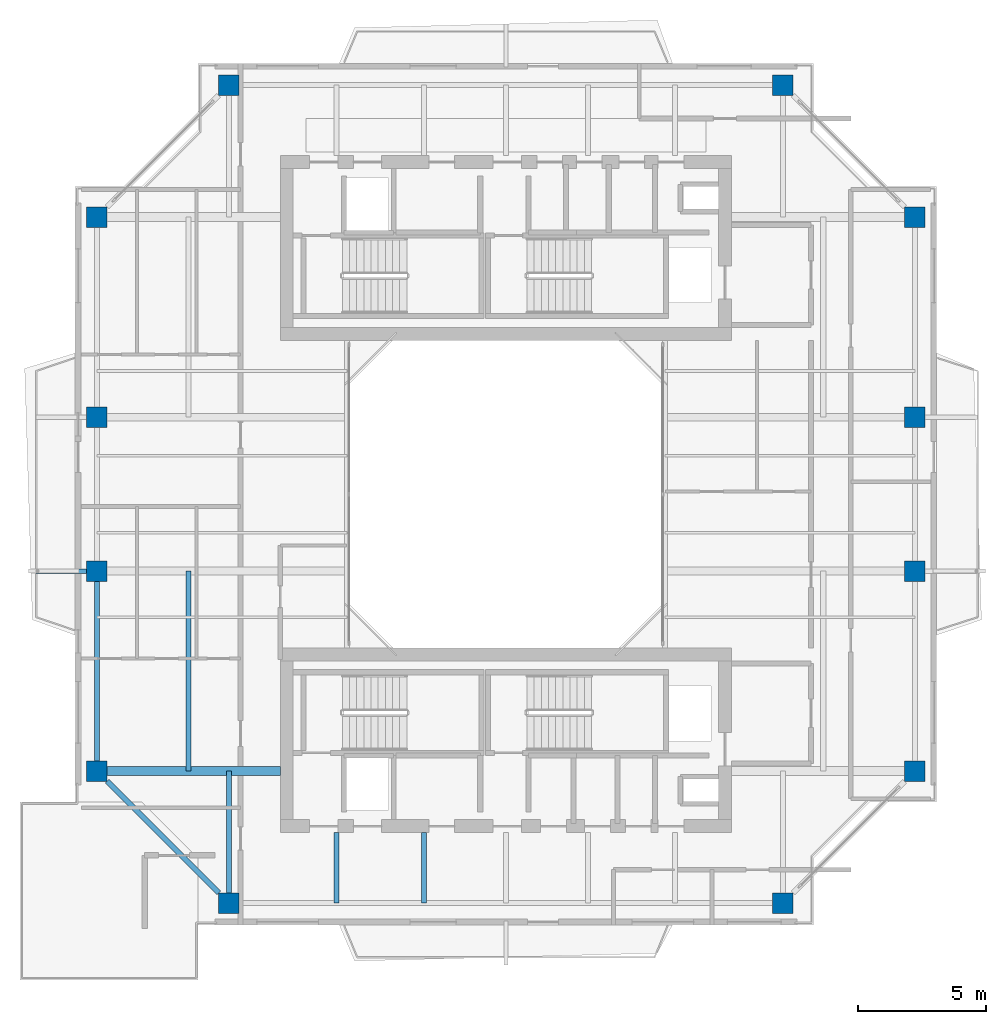
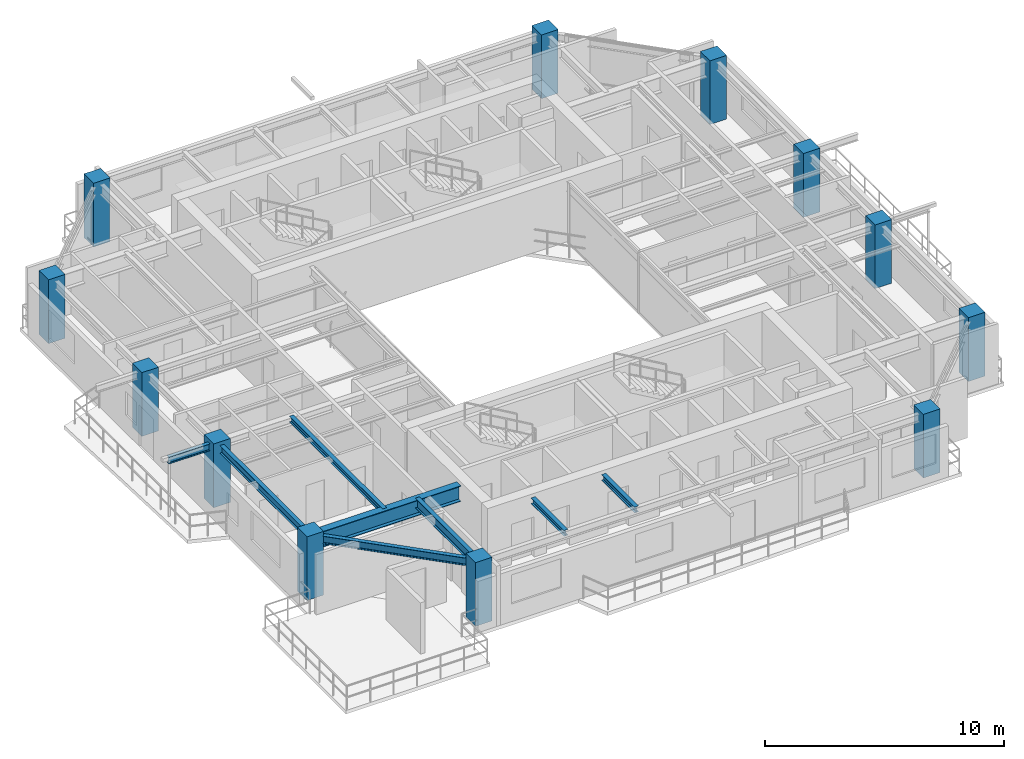
# One storey, part 1 of 15: 12 columns, 8 beams.
"""IFC4 building model written with IfcOpenShell, lengths in metres."""

from ifc_helpers import new_model, si_unit, direction, frame, origin, origin_2d, place, context, subcontext, project, spatial, rectangle, i_section, extrude, source, transform, mapped, material, material_profile, profile_set, type_object, element, save


model = new_model("IFC4")

# Units and contexts
model_context = context("Model", 3, precision=1e-05, world=origin(), true_north=direction((0.0, 1.0)))
body_context = subcontext(model_context, "Body", "Model", "MODEL_VIEW")
ifc_project = project(units=[si_unit("LENGTHUNIT", "METRE"), si_unit("AREAUNIT", "SQUARE_METRE"), si_unit("VOLUMEUNIT", "CUBIC_METRE"), si_unit("PLANEANGLEUNIT", "RADIAN"), si_unit("MASSUNIT", "GRAM", prefix="KILO"), si_unit("THERMODYNAMICTEMPERATUREUNIT", "KELVIN"), si_unit("POWERUNIT", "WATT")], contexts=[model_context])

# Site, building, storey
site_placement = place(None, origin())
site = spatial("IfcSite", under=ifc_project, at=site_placement, CompositionType="ELEMENT")
building_placement = place(site_placement, origin())
building = spatial("IfcBuilding", under=site, at=building_placement, Name="Qiaomeng Ring Towers", CompositionType="ELEMENT")
storey_placement = place(building_placement, frame((0.0, 0.0, 193.75)))
storey = spatial("IfcBuildingStorey", under=building, at=storey_placement, Name="L56", CompositionType="ELEMENT", Elevation=193.75)

# Columns
ifc_material_1 = material(Name="Concrete C40", Category="concrete")
ifc_material_profile_1 = material_profile(ifc_material_1, rectangle(XDim=0.800048828125, YDim=0.800048828125, at=origin_2d()), Name="RC COL 800x800")
ifc_profile_set_1 = profile_set([ifc_material_profile_1], Name="Concrete C40")
column_type = type_object("IfcColumnType", Name="STR-COL-800-C40", PredefinedType="COLUMN", material=ifc_profile_set_1)
shared_shape_1 = source(origin(), body_context, "Body", "SweptSolid", [
    extrude(rectangle(XDim=0.800048828125, YDim=0.800048828125, at=origin_2d()), origin(), (0.0, 0.0, 1.0), 3.25),
])
for number, where, z_axis, x_axis, name in (
    (1, (8.199951171875, 7.050048828125, 0.0), (0.0, 0.0, 1.0), (1.0, 0.0, 0.0), "L56 column STR-COL-L56-T1-S1"),
    (2, (29.800048828125, 7.050048828125, 0.0), (0.0, 0.0, 1.0), (1.0, 0.0, 0.0), "L56 column STR-COL-L56-T1-S2"),
    (3, (34.949951171875, 12.199951171875, 0.0), (0.0, 0.0, 1.0), (1.0, 0.0, 0.0), "L56 column STR-COL-L56-T1-E1"),
    (4, (34.949951171875, 20.0, 0.0), (0.0, 0.0, 1.0), (1.0, 0.0, 0.0), "L56 column STR-COL-L56-T1-E2"),
    (5, (34.949951171875, 26.0, 0.0), (0.0, 0.0, 1.0), (1.0, 0.0, 0.0), "L56 column STR-COL-L56-T1-E3"),
    (6, (34.949951171875, 33.800048828125, 0.0), (0.0, 0.0, 1.0), (1.0, 0.0, 0.0), "L56 column STR-COL-L56-T1-E4"),
    (7, (29.800048828125, 38.949951171875, 0.0), (0.0, 0.0, 1.0), (1.0, 0.0, 0.0), "L56 column STR-COL-L56-T1-N2"),
    (8, (8.199951171875, 38.949951171875, 0.0), (0.0, 0.0, 1.0), (1.0, 0.0, 0.0), "L56 column STR-COL-L56-T1-N1"),
    (9, (3.050048828125, 33.800048828125, 0.0), (0.0, 0.0, 1.0), (1.0, 0.0, 0.0), "L56 column STR-COL-L56-T1-W4"),
    (10, (3.050048828125, 26.0, 0.0), (0.0, 0.0, 1.0), (1.0, 0.0, 0.0), "L56 column STR-COL-L56-T1-W3"),
    (11, (3.050048828125, 20.0, 0.0), (0.0, 0.0, 1.0), (1.0, 0.0, 0.0), "L56 column STR-COL-L56-T1-W2"),
    (12, (3.050048828125, 12.199951171875, 0.0), (0.0, 0.0, 1.0), (1.0, 0.0, 0.0), "L56 column STR-COL-L56-T1-W1"),
):
    element("IfcColumn", number, at=place(storey_placement, frame(where, z_axis=z_axis, x_axis=x_axis)), inside=storey, type_object=column_type, Name=name, PredefinedType="COLUMN", context=body_context, shape_type="MappedRepresentation", body=[
        mapped(shared_shape_1, transform((0.0, 0.0, 0.0), x_axis=(1.0, 0.0, 0.0), y_axis=(0.0, 1.0, 0.0), z_axis=(0.0, 0.0, 1.0), scale=1.0)),
    ])

# Beams
ifc_material_2 = material(Name="Steel Q355B", Category="steel")
ifc_material_profile_2 = material_profile(ifc_material_2, i_section(OverallWidth=0.198974609375, OverallDepth=0.39599609375, WebThickness=0.007080078125, FlangeThickness=0.010986328125, FilletRadius=0.01611328125, at=origin_2d()), Name="HN 396x199x7x11")
ifc_profile_set_2 = profile_set([ifc_material_profile_2], Name="Steel Q355B")
beam_type_1 = type_object("IfcBeamType", Name="STR-BM-HN396", PredefinedType="SPANDREL", material=ifc_profile_set_2)
shared_shape_2 = source(origin(), body_context, "Body", "SweptSolid", [
    extrude(i_section(OverallWidth=0.198974609375, OverallDepth=0.39599609375, WebThickness=0.007080078125, FlangeThickness=0.010986328125, FilletRadius=0.01611328125, at=origin_2d()), origin(), (0.0, 0.0, 1.0), 6.154052734375),
])
beam_1_placement = place(storey_placement, frame((3.44921875, 11.80078125, 2.8720703125), z_axis=(0.707106781187, -0.707106781187, 0.0), x_axis=(0.707106781187, 0.707106781187, 0.0)))
element("IfcBeam", 13, at=beam_1_placement, inside=storey, type_object=beam_type_1, Name="L56 beam STR-SP-L56-T1-W1-S1", PredefinedType="SPANDREL", context=body_context, shape_type="MappedRepresentation", body=[
    mapped(shared_shape_2, transform((0.0, 0.0, 0.0), x_axis=(1.0, 0.0, 0.0), y_axis=(0.0, 1.0, 0.0), z_axis=(0.0, 0.0, 1.0), scale=1.0)),
])
shared_shape_3 = source(origin(), body_context, "Body", "SweptSolid", [
    extrude(i_section(OverallWidth=0.198974609375, OverallDepth=0.39599609375, WebThickness=0.007080078125, FlangeThickness=0.010986328125, FilletRadius=0.01611328125, at=origin_2d()), origin(), (0.0, 0.0, 1.0), 7.001953125),
])
beam_2_placement = place(storey_placement, frame((3.050048828125, 19.60107421875, 2.8720703125), z_axis=(0.0, -1.0, 0.0), x_axis=(1.0, 0.0, 0.0)))
element("IfcBeam", 14, at=beam_2_placement, inside=storey, type_object=beam_type_1, Name="L56 beam STR-SP-L56-T1-W2-W1", PredefinedType="SPANDREL", context=body_context, shape_type="MappedRepresentation", body=[
    mapped(shared_shape_3, transform((0.0, 0.0, 0.0), x_axis=(1.0, 0.0, 0.0), y_axis=(0.0, 1.0, 0.0), z_axis=(0.0, 0.0, 1.0), scale=1.0)),
])
ifc_material_3 = material(Name="Steel Q390GJC", Category="steel")
ifc_material_profile_3 = material_profile(ifc_material_3, i_section(OverallWidth=0.35009765625, OverallDepth=0.800048828125, WebThickness=0.01611328125, FlangeThickness=0.028076171875, at=origin_2d()), Name="WH 800x350x16x28")
ifc_profile_set_3 = profile_set([ifc_material_profile_3], Name="Steel Q390GJC")
beam_type_2 = type_object("IfcBeamType", Name="STR-BM-WH800", PredefinedType="BEAM", material=ifc_profile_set_3)
shared_shape_4 = source(origin(), body_context, "Body", "SweptSolid", [
    extrude(i_section(OverallWidth=0.35009765625, OverallDepth=0.800048828125, WebThickness=0.01611328125, FlangeThickness=0.028076171875, at=origin_2d()), origin(), (0.0, 0.0, 1.0), 6.7509765625),
])
beam_3_placement = place(storey_placement, frame((3.448974609375, 12.199951171875, 2.669921875), z_axis=(1.0, 0.0, 0.0), x_axis=(0.0, 1.0, 0.0)))
element("IfcBeam", 15, at=beam_3_placement, inside=storey, type_object=beam_type_2, Name="L56 beam STR-BM-L56-T1-RAD-W1", PredefinedType="BEAM", context=body_context, shape_type="MappedRepresentation", body=[
    mapped(shared_shape_4, transform((0.0, 0.0, 0.0), x_axis=(1.0, 0.0, 0.0), y_axis=(0.0, 1.0, 0.0), z_axis=(0.0, 0.0, 1.0), scale=1.0)),
])
ifc_material_profile_4 = material_profile(ifc_material_2, i_section(OverallWidth=0.199951171875, OverallDepth=0.5, WebThickness=0.010009765625, FlangeThickness=0.01611328125, FilletRadius=0.02001953125, at=origin_2d()), Name="HN 500x200x10x16")
ifc_profile_set_4 = profile_set([ifc_material_profile_4], Name="Steel Q355B")
beam_type_3 = type_object("IfcBeamType", Name="STR-BM-HN500", PredefinedType="BEAM", material=ifc_profile_set_4)
shared_shape_5 = source(origin(), body_context, "Body", "SweptSolid", [
    extrude(i_section(OverallWidth=0.199951171875, OverallDepth=0.5, WebThickness=0.010009765625, FlangeThickness=0.01611328125, FilletRadius=0.02001953125, at=origin_2d()), origin(), (0.0, 0.0, 1.0), 4.7509765625),
])
beam_4_placement = place(storey_placement, frame((8.199951171875, 7.448974609375, 2.820068359375), z_axis=(0.0, 1.0, 0.0), x_axis=(-1.0, 0.0, 0.0)))
element("IfcBeam", 16, at=beam_4_placement, inside=storey, type_object=beam_type_3, Name="L56 beam STR-BM-L56-T1-RAD-S1", PredefinedType="BEAM", context=body_context, shape_type="MappedRepresentation", body=[
    mapped(shared_shape_5, transform((0.0, 0.0, 0.0), x_axis=(1.0, 0.0, 0.0), y_axis=(0.0, 1.0, 0.0), z_axis=(0.0, 0.0, 1.0), scale=1.0)),
])
ifc_material_profile_5 = material_profile(ifc_material_2, i_section(OverallWidth=0.175048828125, OverallDepth=0.35009765625, WebThickness=0.007080078125, FlangeThickness=0.010986328125, FilletRadius=0.013916015625, at=origin_2d()), Name="HN 350x175x7x11")
ifc_profile_set_5 = profile_set([ifc_material_profile_5], Name="Steel Q355B")
beam_type_4 = type_object("IfcBeamType", Name="STR-BM-HN350", PredefinedType="JOIST", material=ifc_profile_set_5)
shared_shape_6 = source(origin(), body_context, "Body", "SweptSolid", [
    extrude(i_section(OverallWidth=0.175048828125, OverallDepth=0.35009765625, WebThickness=0.007080078125, FlangeThickness=0.010986328125, FilletRadius=0.013916015625, at=origin_2d()), origin(), (0.0, 0.0, 1.0), 1.970947265625),
])
beam_5_placement = place(storey_placement, frame((0.679931640625, 20.0, 2.89501953125), z_axis=(1.0, 0.0, 0.0), x_axis=(0.0, 1.0, 0.0)))
element("IfcBeam", 17, at=beam_5_placement, inside=storey, type_object=beam_type_4, Name="L56 beam STR-BALBM-L56-W2", PredefinedType="JOIST", context=body_context, shape_type="MappedRepresentation", body=[
    mapped(shared_shape_6, transform((0.0, 0.0, 0.0), x_axis=(1.0, 0.0, 0.0), y_axis=(0.0, 1.0, 0.0), z_axis=(0.0, 0.0, 1.0), scale=1.0)),
])
ifc_material_profile_6 = material_profile(ifc_material_2, i_section(OverallWidth=0.199951171875, OverallDepth=0.2939453125, WebThickness=0.008056640625, FlangeThickness=0.011962890625, FilletRadius=0.01806640625, at=origin_2d()), Name="HM 294x200x8x12")
ifc_profile_set_6 = profile_set([ifc_material_profile_6], Name="Steel Q355B")
beam_type_5 = type_object("IfcBeamType", Name="STR-BM-HM294", PredefinedType="JOIST", material=ifc_profile_set_6)
shared_shape_7 = source(origin(), body_context, "Body", "SweptSolid", [
    extrude(i_section(OverallWidth=0.199951171875, OverallDepth=0.2939453125, WebThickness=0.008056640625, FlangeThickness=0.011962890625, FilletRadius=0.01806640625, at=origin_2d()), origin(), (0.0, 0.0, 1.0), 2.75),
])
for number, where, z_axis, x_axis, name in (
    (18, (12.39990234375, 7.050048828125, 2.923095703125), (0.0, 1.0, 0.0), (-1.0, 0.0, 0.0), "L56 beam STR-JST-L56-T1S-1"),
    (19, (15.800048828125, 7.050048828125, 2.923095703125), (0.0, 1.0, 0.0), (-1.0, 0.0, 0.0), "L56 beam STR-JST-L56-T1S-2"),
):
    element("IfcBeam", number, at=place(storey_placement, frame(where, z_axis=z_axis, x_axis=x_axis)), inside=storey, type_object=beam_type_5, Name=name, PredefinedType="JOIST", context=body_context, shape_type="MappedRepresentation", body=[
        mapped(shared_shape_7, transform((0.0, 0.0, 0.0), x_axis=(1.0, 0.0, 0.0), y_axis=(0.0, 1.0, 0.0), z_axis=(0.0, 0.0, 1.0), scale=1.0)),
    ])
shared_shape_8 = source(origin(), body_context, "Body", "SweptSolid", [
    extrude(i_section(OverallWidth=0.199951171875, OverallDepth=0.2939453125, WebThickness=0.008056640625, FlangeThickness=0.011962890625, FilletRadius=0.01806640625, at=origin_2d()), origin(), (0.0, 0.0, 1.0), 7.800048828125),
])
beam_6_placement = place(storey_placement, frame((6.625, 12.199951171875, 2.923095703125), z_axis=(0.0, 1.0, 0.0), x_axis=(-1.0, 0.0, 0.0)))
element("IfcBeam", 20, at=beam_6_placement, inside=storey, type_object=beam_type_5, Name="L56 beam STR-JST-L56-T1C-WS", PredefinedType="JOIST", context=body_context, shape_type="MappedRepresentation", body=[
    mapped(shared_shape_8, transform((0.0, 0.0, 0.0), x_axis=(1.0, 0.0, 0.0), y_axis=(0.0, 1.0, 0.0), z_axis=(0.0, 0.0, 1.0), scale=1.0)),
])

save(model, "model.ifc")
